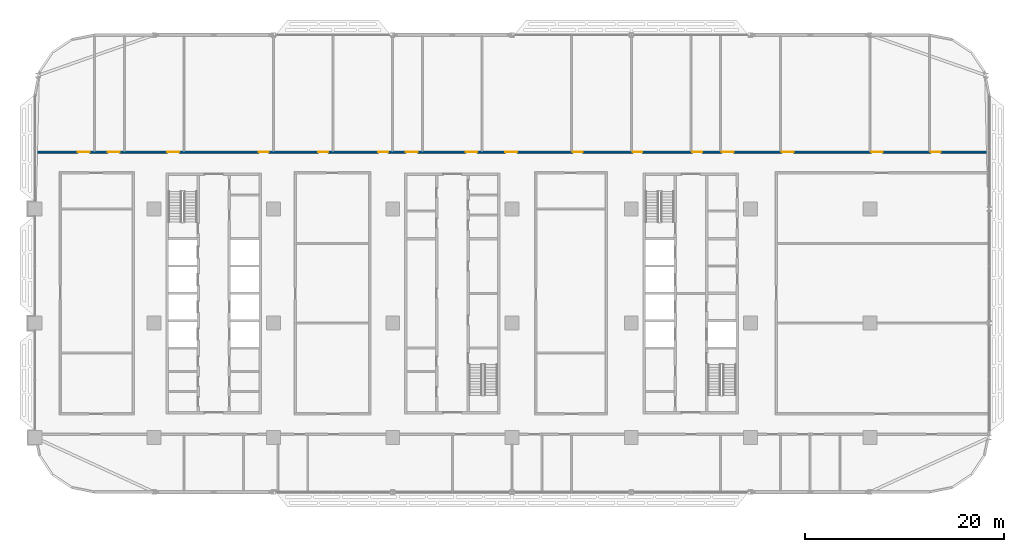
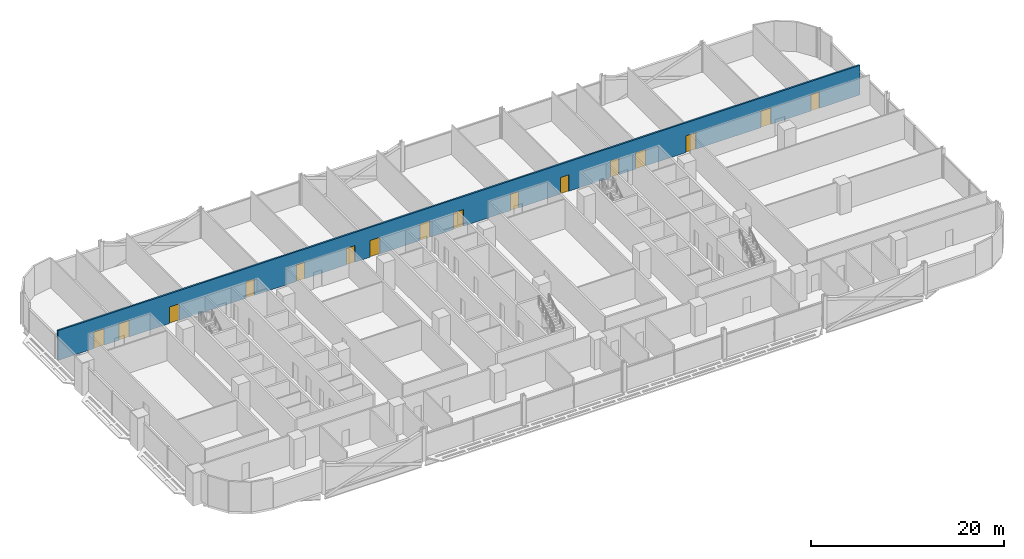
# One storey, part 15 of 29: 16 doors, 1 wall, 16 openings.
"""IFC4 building model written with IfcOpenShell, lengths in metres."""

from ifc_helpers import new_model, si_unit, direction, frame, frame_2d, origin, place, context, subcontext, project, spatial, rectangle, extrude, material, layer, layer_set, type_object, element, fill, save


model = new_model("IFC4")

# Units and contexts
model_context = context("Model", 3, precision=1e-05, world=origin(), true_north=direction((0.0, 1.0)))
body_context = subcontext(model_context, "Body", "Model", "MODEL_VIEW")
ifc_project = project(units=[si_unit("LENGTHUNIT", "METRE"), si_unit("AREAUNIT", "SQUARE_METRE"), si_unit("VOLUMEUNIT", "CUBIC_METRE"), si_unit("PLANEANGLEUNIT", "RADIAN"), si_unit("MASSUNIT", "GRAM", prefix="KILO")], contexts=[model_context])

# Site, building, storey
site_placement = place(None, origin())
site = spatial("IfcSite", under=ifc_project, at=site_placement, CompositionType="ELEMENT")
building_placement = place(site_placement, origin())
building = spatial("IfcBuilding", under=site, at=building_placement, Name="Mahtab Terrace Research Tower", CompositionType="ELEMENT")
storey_placement = place(building_placement, frame((0.0, 0.0, 105.300048828125)))
storey = spatial("IfcBuildingStorey", under=building, at=storey_placement, Name="L24", CompositionType="ELEMENT", Elevation=105.300048828125)

# Wall, openings, doors
ifc_material_1 = material(Name="Gypsum board corridor wall on steel studs", Category="steel")
ifc_layer = layer(ifc_material_1, 0.199951171875)
ifc_layer_set = layer_set([ifc_layer], Name="WALL CORRIDOR 200")
wall_type = type_object("IfcWallType", Name="WALL CORRIDOR 200", PredefinedType="PARTITIONING", material=ifc_layer_set)
wall_placement = place(storey_placement, frame((-41.97509765625, 17.199951171875, 0.0), z_axis=(0.0, 0.0, 1.0), x_axis=(1.0, 0.0, 0.0)))
wall = element("IfcWall", 1, at=wall_placement, inside=storey, type_object=wall_type, Name="L24-W026", PredefinedType="PARTITIONING", context=body_context, shape_type="SweptSolid", body=[
    extrude(rectangle(XDim=95.9501953125, YDim=0.199951171875, at=frame_2d((47.97509765625, 0.0))), origin(), (0.0, 0.0, 1.0), 3.760009765625),
])
opening_1_placement = place(wall_placement, frame((4.300048828125, 0.0, 0.0)))
opening_1 = element("IfcOpeningElement", 2, at=opening_1_placement, cuts=wall, Name="Opening L24-126", PredefinedType="OPENING", context=body_context, shape_type="SweptSolid", body=[
    extrude(rectangle(XDim=1.199951171875, YDim=2.10009765625, at=frame_2d((0.60009765625, 1.050048828125))), frame((0.0, 0.10986328125, 0.0), z_axis=(0.0, -1.0, 0.0), x_axis=(1.0, 0.0, 0.0)), (0.0, 0.0, 1.0), 0.219970703125),
])
opening_2_placement = place(wall_placement, frame((7.300048828125, 0.0, 0.0)))
opening_2 = element("IfcOpeningElement", 3, at=opening_2_placement, cuts=wall, Name="Opening L24-127", PredefinedType="OPENING", context=body_context, shape_type="SweptSolid", body=[
    extrude(rectangle(XDim=1.199951171875, YDim=2.10009765625, at=frame_2d((0.60009765625, 1.050048828125))), frame((0.0, 0.10986328125, 0.0), z_axis=(0.0, -1.0, 0.0), x_axis=(1.0, 0.0, 0.0)), (0.0, 0.0, 1.0), 0.219970703125),
])
opening_3_placement = place(wall_placement, frame((13.300048828125, 0.0, 0.0)))
opening_3 = element("IfcOpeningElement", 4, at=opening_3_placement, cuts=wall, Name="Opening L24-128", PredefinedType="OPENING", context=body_context, shape_type="SweptSolid", body=[
    extrude(rectangle(XDim=1.199951171875, YDim=2.10009765625, at=frame_2d((0.60009765625, 1.050048828125))), frame((0.0, 0.10986328125, 0.0), z_axis=(0.0, -1.0, 0.0), x_axis=(1.0, 0.0, 0.0)), (0.0, 0.0, 1.0), 0.219970703125),
])
opening_4_placement = place(wall_placement, frame((22.5, 0.0, 0.0)))
opening_4 = element("IfcOpeningElement", 5, at=opening_4_placement, cuts=wall, Name="Opening L24-129", PredefinedType="OPENING", context=body_context, shape_type="SweptSolid", body=[
    extrude(rectangle(XDim=1.0, YDim=2.10009765625, at=frame_2d((0.5, 1.050048828125))), frame((0.0, 0.10986328125, 0.0), z_axis=(0.0, -1.0, 0.0), x_axis=(1.0, 0.0, 0.0)), (0.0, 0.0, 1.0), 0.219970703125),
])
opening_5_placement = place(wall_placement, frame((28.5, 0.0, 0.0)))
opening_5 = element("IfcOpeningElement", 6, at=opening_5_placement, cuts=wall, Name="Opening L24-130", PredefinedType="OPENING", context=body_context, shape_type="SweptSolid", body=[
    extrude(rectangle(XDim=1.0, YDim=2.10009765625, at=frame_2d((0.5, 1.050048828125))), frame((0.0, 0.10986328125, 0.0), z_axis=(0.0, -1.0, 0.0), x_axis=(1.0, 0.0, 0.0)), (0.0, 0.0, 1.0), 0.219970703125),
])
opening_6_placement = place(wall_placement, frame((34.5, 0.0, 0.0)))
opening_6 = element("IfcOpeningElement", 7, at=opening_6_placement, cuts=wall, Name="Opening L24-131", PredefinedType="OPENING", context=body_context, shape_type="SweptSolid", body=[
    extrude(rectangle(XDim=1.0, YDim=2.10009765625, at=frame_2d((0.5, 1.050048828125))), frame((0.0, 0.10986328125, 0.0), z_axis=(0.0, -1.0, 0.0), x_axis=(1.0, 0.0, 0.0)), (0.0, 0.0, 1.0), 0.219970703125),
])
opening_7_placement = place(wall_placement, frame((37.300048828125, 0.0, 0.0)))
opening_7 = element("IfcOpeningElement", 8, at=opening_7_placement, cuts=wall, Name="Opening L24-132", PredefinedType="OPENING", context=body_context, shape_type="SweptSolid", body=[
    extrude(rectangle(XDim=1.199951171875, YDim=2.10009765625, at=frame_2d((0.60009765625, 1.050048828125))), frame((0.0, 0.10986328125, 0.0), z_axis=(0.0, -1.0, 0.0), x_axis=(1.0, 0.0, 0.0)), (0.0, 0.0, 1.0), 0.219970703125),
])
opening_8_placement = place(wall_placement, frame((43.300048828125, 0.0, 0.0)))
opening_8 = element("IfcOpeningElement", 9, at=opening_8_placement, cuts=wall, Name="Opening L24-133", PredefinedType="OPENING", context=body_context, shape_type="SweptSolid", body=[
    extrude(rectangle(XDim=1.199951171875, YDim=2.10009765625, at=frame_2d((0.60009765625, 1.050048828125))), frame((0.0, 0.10986328125, 0.0), z_axis=(0.0, -1.0, 0.0), x_axis=(1.0, 0.0, 0.0)), (0.0, 0.0, 1.0), 0.219970703125),
])
opening_9_placement = place(wall_placement, frame((47.300048828125, 0.0, 0.0)))
opening_9 = element("IfcOpeningElement", 10, at=opening_9_placement, cuts=wall, Name="Opening L24-134", PredefinedType="OPENING", context=body_context, shape_type="SweptSolid", body=[
    extrude(rectangle(XDim=1.199951171875, YDim=2.10009765625, at=frame_2d((0.60009765625, 1.050048828125))), frame((0.0, 0.10986328125, 0.0), z_axis=(0.0, -1.0, 0.0), x_axis=(1.0, 0.0, 0.0)), (0.0, 0.0, 1.0), 0.219970703125),
])
opening_10_placement = place(wall_placement, frame((54.10009765625, 0.0, 0.0)))
opening_10 = element("IfcOpeningElement", 11, at=opening_10_placement, cuts=wall, Name="Opening L24-135", PredefinedType="OPENING", context=body_context, shape_type="SweptSolid", body=[
    extrude(rectangle(XDim=1.0, YDim=2.10009765625, at=frame_2d((0.5, 1.050048828125))), frame((0.0, 0.10986328125, 0.0), z_axis=(0.0, -1.0, 0.0), x_axis=(1.0, 0.0, 0.0)), (0.0, 0.0, 1.0), 0.219970703125),
])
opening_11_placement = place(wall_placement, frame((60.10009765625, 0.0, 0.0)))
opening_11 = element("IfcOpeningElement", 12, at=opening_11_placement, cuts=wall, Name="Opening L24-136", PredefinedType="OPENING", context=body_context, shape_type="SweptSolid", body=[
    extrude(rectangle(XDim=1.0, YDim=2.10009765625, at=frame_2d((0.5, 1.050048828125))), frame((0.0, 0.10986328125, 0.0), z_axis=(0.0, -1.0, 0.0), x_axis=(1.0, 0.0, 0.0)), (0.0, 0.0, 1.0), 0.219970703125),
])
opening_12_placement = place(wall_placement, frame((66.10009765625, 0.0, 0.0)))
opening_12 = element("IfcOpeningElement", 13, at=opening_12_placement, cuts=wall, Name="Opening L24-137", PredefinedType="OPENING", context=body_context, shape_type="SweptSolid", body=[
    extrude(rectangle(XDim=1.0, YDim=2.10009765625, at=frame_2d((0.5, 1.050048828125))), frame((0.0, 0.10986328125, 0.0), z_axis=(0.0, -1.0, 0.0), x_axis=(1.0, 0.0, 0.0)), (0.0, 0.0, 1.0), 0.219970703125),
])
opening_13_placement = place(wall_placement, frame((69.10009765625, 0.0, 0.0)))
opening_13 = element("IfcOpeningElement", 14, at=opening_13_placement, cuts=wall, Name="Opening L24-138", PredefinedType="OPENING", context=body_context, shape_type="SweptSolid", body=[
    extrude(rectangle(XDim=1.199951171875, YDim=2.10009765625, at=frame_2d((0.60009765625, 1.050048828125))), frame((0.0, 0.10986328125, 0.0), z_axis=(0.0, -1.0, 0.0), x_axis=(1.0, 0.0, 0.0)), (0.0, 0.0, 1.0), 0.219970703125),
])
opening_14_placement = place(wall_placement, frame((75.10009765625, 0.0, 0.0)))
opening_14 = element("IfcOpeningElement", 15, at=opening_14_placement, cuts=wall, Name="Opening L24-139", PredefinedType="OPENING", context=body_context, shape_type="SweptSolid", body=[
    extrude(rectangle(XDim=1.199951171875, YDim=2.10009765625, at=frame_2d((0.60009765625, 1.050048828125))), frame((0.0, 0.10986328125, 0.0), z_axis=(0.0, -1.0, 0.0), x_axis=(1.0, 0.0, 0.0)), (0.0, 0.0, 1.0), 0.219970703125),
])
opening_15_placement = place(wall_placement, frame((84.10009765625, 0.0, 0.0)))
opening_15 = element("IfcOpeningElement", 16, at=opening_15_placement, cuts=wall, Name="Opening L24-140", PredefinedType="OPENING", context=body_context, shape_type="SweptSolid", body=[
    extrude(rectangle(XDim=1.199951171875, YDim=2.10009765625, at=frame_2d((0.60009765625, 1.050048828125))), frame((0.0, 0.10986328125, 0.0), z_axis=(0.0, -1.0, 0.0), x_axis=(1.0, 0.0, 0.0)), (0.0, 0.0, 1.0), 0.219970703125),
])
opening_16_placement = place(wall_placement, frame((90.10009765625, 0.0, 0.0)))
opening_16 = element("IfcOpeningElement", 17, at=opening_16_placement, cuts=wall, Name="Opening L24-141", PredefinedType="OPENING", context=body_context, shape_type="SweptSolid", body=[
    extrude(rectangle(XDim=1.0, YDim=2.10009765625, at=frame_2d((0.5, 1.050048828125))), frame((0.0, 0.10986328125, 0.0), z_axis=(0.0, -1.0, 0.0), x_axis=(1.0, 0.0, 0.0)), (0.0, 0.0, 1.0), 0.219970703125),
])
ifc_material_2 = material(Name="Timber door leaf in steel frame", Category="steel")
door_type_1 = type_object("IfcDoorType", Name="DOOR 1000X2100 FD30S", OperationType="SINGLE_SWING_LEFT", PredefinedType="DOOR", material=ifc_material_2)
door_1_placement = place(opening_4_placement, origin())
door_1 = element("IfcDoor", 18, at=door_1_placement, inside=storey, type_object=door_type_1, Name="Door L24-129", OperationType="SINGLE_SWING_LEFT", OverallHeight=2.10009765625, OverallWidth=1.0, PredefinedType="DOOR", context=body_context, shape_type="SweptSolid", body=[
    extrude(rectangle(XDim=1.0, YDim=2.10009765625, at=frame_2d((0.5, 1.050048828125))), frame((0.0, 0.02490234375, 0.0), z_axis=(0.0, -1.0, 0.0), x_axis=(1.0, 0.0, 0.0)), (0.0, 0.0, 1.0), 0.050048828125),
])
fill(opening_4, door_1)
door_2_placement = place(opening_5_placement, origin())
door_2 = element("IfcDoor", 19, at=door_2_placement, inside=storey, type_object=door_type_1, Name="Door L24-130", OperationType="SINGLE_SWING_LEFT", OverallHeight=2.10009765625, OverallWidth=1.0, PredefinedType="DOOR", context=body_context, shape_type="SweptSolid", body=[
    extrude(rectangle(XDim=1.0, YDim=2.10009765625, at=frame_2d((0.5, 1.050048828125))), frame((0.0, 0.02490234375, 0.0), z_axis=(0.0, -1.0, 0.0), x_axis=(1.0, 0.0, 0.0)), (0.0, 0.0, 1.0), 0.050048828125),
])
fill(opening_5, door_2)
door_3_placement = place(opening_6_placement, origin())
door_3 = element("IfcDoor", 20, at=door_3_placement, inside=storey, type_object=door_type_1, Name="Door L24-131", OperationType="SINGLE_SWING_LEFT", OverallHeight=2.10009765625, OverallWidth=1.0, PredefinedType="DOOR", context=body_context, shape_type="SweptSolid", body=[
    extrude(rectangle(XDim=1.0, YDim=2.10009765625, at=frame_2d((0.5, 1.050048828125))), frame((0.0, 0.02490234375, 0.0), z_axis=(0.0, -1.0, 0.0), x_axis=(1.0, 0.0, 0.0)), (0.0, 0.0, 1.0), 0.050048828125),
])
fill(opening_6, door_3)
door_4_placement = place(opening_10_placement, origin())
door_4 = element("IfcDoor", 21, at=door_4_placement, inside=storey, type_object=door_type_1, Name="Door L24-135", OperationType="SINGLE_SWING_RIGHT", OverallHeight=2.10009765625, OverallWidth=1.0, PredefinedType="DOOR", context=body_context, shape_type="SweptSolid", body=[
    extrude(rectangle(XDim=1.0, YDim=2.10009765625, at=frame_2d((0.5, 1.050048828125))), frame((0.0, 0.02490234375, 0.0), z_axis=(0.0, -1.0, 0.0), x_axis=(1.0, 0.0, 0.0)), (0.0, 0.0, 1.0), 0.050048828125),
])
fill(opening_10, door_4)
door_5_placement = place(opening_11_placement, origin())
door_5 = element("IfcDoor", 22, at=door_5_placement, inside=storey, type_object=door_type_1, Name="Door L24-136", OperationType="SINGLE_SWING_RIGHT", OverallHeight=2.10009765625, OverallWidth=1.0, PredefinedType="DOOR", context=body_context, shape_type="SweptSolid", body=[
    extrude(rectangle(XDim=1.0, YDim=2.10009765625, at=frame_2d((0.5, 1.050048828125))), frame((0.0, 0.02490234375, 0.0), z_axis=(0.0, -1.0, 0.0), x_axis=(1.0, 0.0, 0.0)), (0.0, 0.0, 1.0), 0.050048828125),
])
fill(opening_11, door_5)
door_6_placement = place(opening_12_placement, origin())
door_6 = element("IfcDoor", 23, at=door_6_placement, inside=storey, type_object=door_type_1, Name="Door L24-137", OperationType="SINGLE_SWING_RIGHT", OverallHeight=2.10009765625, OverallWidth=1.0, PredefinedType="DOOR", context=body_context, shape_type="SweptSolid", body=[
    extrude(rectangle(XDim=1.0, YDim=2.10009765625, at=frame_2d((0.5, 1.050048828125))), frame((0.0, 0.02490234375, 0.0), z_axis=(0.0, -1.0, 0.0), x_axis=(1.0, 0.0, 0.0)), (0.0, 0.0, 1.0), 0.050048828125),
])
fill(opening_12, door_6)
door_7_placement = place(opening_16_placement, origin())
door_7 = element("IfcDoor", 24, at=door_7_placement, inside=storey, type_object=door_type_1, Name="Door L24-141", OperationType="SINGLE_SWING_RIGHT", OverallHeight=2.10009765625, OverallWidth=1.0, PredefinedType="DOOR", context=body_context, shape_type="SweptSolid", body=[
    extrude(rectangle(XDim=1.0, YDim=2.10009765625, at=frame_2d((0.5, 1.050048828125))), frame((0.0, 0.02490234375, 0.0), z_axis=(0.0, -1.0, 0.0), x_axis=(1.0, 0.0, 0.0)), (0.0, 0.0, 1.0), 0.050048828125),
])
fill(opening_16, door_7)
door_type_2 = type_object("IfcDoorType", Name="DOOR 1200X2100 FD30S", OperationType="SINGLE_SWING_LEFT", PredefinedType="DOOR", material=ifc_material_2)
door_8_placement = place(opening_1_placement, origin())
door_8 = element("IfcDoor", 25, at=door_8_placement, inside=storey, type_object=door_type_2, Name="Door L24-126", OperationType="SINGLE_SWING_LEFT", OverallHeight=2.10009765625, OverallWidth=1.199951171875, PredefinedType="DOOR", context=body_context, shape_type="SweptSolid", body=[
    extrude(rectangle(XDim=1.199951171875, YDim=2.10009765625, at=frame_2d((0.60009765625, 1.050048828125))), frame((0.0, 0.02490234375, 0.0), z_axis=(0.0, -1.0, 0.0), x_axis=(1.0, 0.0, 0.0)), (0.0, 0.0, 1.0), 0.050048828125),
])
fill(opening_1, door_8)
door_9_placement = place(opening_2_placement, origin())
door_9 = element("IfcDoor", 26, at=door_9_placement, inside=storey, type_object=door_type_2, Name="Door L24-127", OperationType="SINGLE_SWING_LEFT", OverallHeight=2.10009765625, OverallWidth=1.199951171875, PredefinedType="DOOR", context=body_context, shape_type="SweptSolid", body=[
    extrude(rectangle(XDim=1.199951171875, YDim=2.10009765625, at=frame_2d((0.60009765625, 1.050048828125))), frame((0.0, 0.02490234375, 0.0), z_axis=(0.0, -1.0, 0.0), x_axis=(1.0, 0.0, 0.0)), (0.0, 0.0, 1.0), 0.050048828125),
])
fill(opening_2, door_9)
door_10_placement = place(opening_3_placement, origin())
door_10 = element("IfcDoor", 27, at=door_10_placement, inside=storey, type_object=door_type_2, Name="Door L24-128", OperationType="SINGLE_SWING_LEFT", OverallHeight=2.10009765625, OverallWidth=1.199951171875, PredefinedType="DOOR", context=body_context, shape_type="SweptSolid", body=[
    extrude(rectangle(XDim=1.199951171875, YDim=2.10009765625, at=frame_2d((0.60009765625, 1.050048828125))), frame((0.0, 0.02490234375, 0.0), z_axis=(0.0, -1.0, 0.0), x_axis=(1.0, 0.0, 0.0)), (0.0, 0.0, 1.0), 0.050048828125),
])
fill(opening_3, door_10)
door_11_placement = place(opening_7_placement, origin())
door_11 = element("IfcDoor", 28, at=door_11_placement, inside=storey, type_object=door_type_2, Name="Door L24-132", OperationType="SINGLE_SWING_LEFT", OverallHeight=2.10009765625, OverallWidth=1.199951171875, PredefinedType="DOOR", context=body_context, shape_type="SweptSolid", body=[
    extrude(rectangle(XDim=1.199951171875, YDim=2.10009765625, at=frame_2d((0.60009765625, 1.050048828125))), frame((0.0, 0.02490234375, 0.0), z_axis=(0.0, -1.0, 0.0), x_axis=(1.0, 0.0, 0.0)), (0.0, 0.0, 1.0), 0.050048828125),
])
fill(opening_7, door_11)
door_12_placement = place(opening_8_placement, origin())
door_12 = element("IfcDoor", 29, at=door_12_placement, inside=storey, type_object=door_type_2, Name="Door L24-133", OperationType="SINGLE_SWING_LEFT", OverallHeight=2.10009765625, OverallWidth=1.199951171875, PredefinedType="DOOR", context=body_context, shape_type="SweptSolid", body=[
    extrude(rectangle(XDim=1.199951171875, YDim=2.10009765625, at=frame_2d((0.60009765625, 1.050048828125))), frame((0.0, 0.02490234375, 0.0), z_axis=(0.0, -1.0, 0.0), x_axis=(1.0, 0.0, 0.0)), (0.0, 0.0, 1.0), 0.050048828125),
])
fill(opening_8, door_12)
door_13_placement = place(opening_9_placement, origin())
door_13 = element("IfcDoor", 30, at=door_13_placement, inside=storey, type_object=door_type_2, Name="Door L24-134", OperationType="SINGLE_SWING_RIGHT", OverallHeight=2.10009765625, OverallWidth=1.199951171875, PredefinedType="DOOR", context=body_context, shape_type="SweptSolid", body=[
    extrude(rectangle(XDim=1.199951171875, YDim=2.10009765625, at=frame_2d((0.60009765625, 1.050048828125))), frame((0.0, 0.02490234375, 0.0), z_axis=(0.0, -1.0, 0.0), x_axis=(1.0, 0.0, 0.0)), (0.0, 0.0, 1.0), 0.050048828125),
])
fill(opening_9, door_13)
door_14_placement = place(opening_13_placement, origin())
door_14 = element("IfcDoor", 31, at=door_14_placement, inside=storey, type_object=door_type_2, Name="Door L24-138", OperationType="SINGLE_SWING_RIGHT", OverallHeight=2.10009765625, OverallWidth=1.199951171875, PredefinedType="DOOR", context=body_context, shape_type="SweptSolid", body=[
    extrude(rectangle(XDim=1.199951171875, YDim=2.10009765625, at=frame_2d((0.60009765625, 1.050048828125))), frame((0.0, 0.02490234375, 0.0), z_axis=(0.0, -1.0, 0.0), x_axis=(1.0, 0.0, 0.0)), (0.0, 0.0, 1.0), 0.050048828125),
])
fill(opening_13, door_14)
door_15_placement = place(opening_14_placement, origin())
door_15 = element("IfcDoor", 32, at=door_15_placement, inside=storey, type_object=door_type_2, Name="Door L24-139", OperationType="SINGLE_SWING_RIGHT", OverallHeight=2.10009765625, OverallWidth=1.199951171875, PredefinedType="DOOR", context=body_context, shape_type="SweptSolid", body=[
    extrude(rectangle(XDim=1.199951171875, YDim=2.10009765625, at=frame_2d((0.60009765625, 1.050048828125))), frame((0.0, 0.02490234375, 0.0), z_axis=(0.0, -1.0, 0.0), x_axis=(1.0, 0.0, 0.0)), (0.0, 0.0, 1.0), 0.050048828125),
])
fill(opening_14, door_15)
door_16_placement = place(opening_15_placement, origin())
door_16 = element("IfcDoor", 33, at=door_16_placement, inside=storey, type_object=door_type_2, Name="Door L24-140", OperationType="SINGLE_SWING_RIGHT", OverallHeight=2.10009765625, OverallWidth=1.199951171875, PredefinedType="DOOR", context=body_context, shape_type="SweptSolid", body=[
    extrude(rectangle(XDim=1.199951171875, YDim=2.10009765625, at=frame_2d((0.60009765625, 1.050048828125))), frame((0.0, 0.02490234375, 0.0), z_axis=(0.0, -1.0, 0.0), x_axis=(1.0, 0.0, 0.0)), (0.0, 0.0, 1.0), 0.050048828125),
])
fill(opening_15, door_16)

save(model, "model.ifc")
